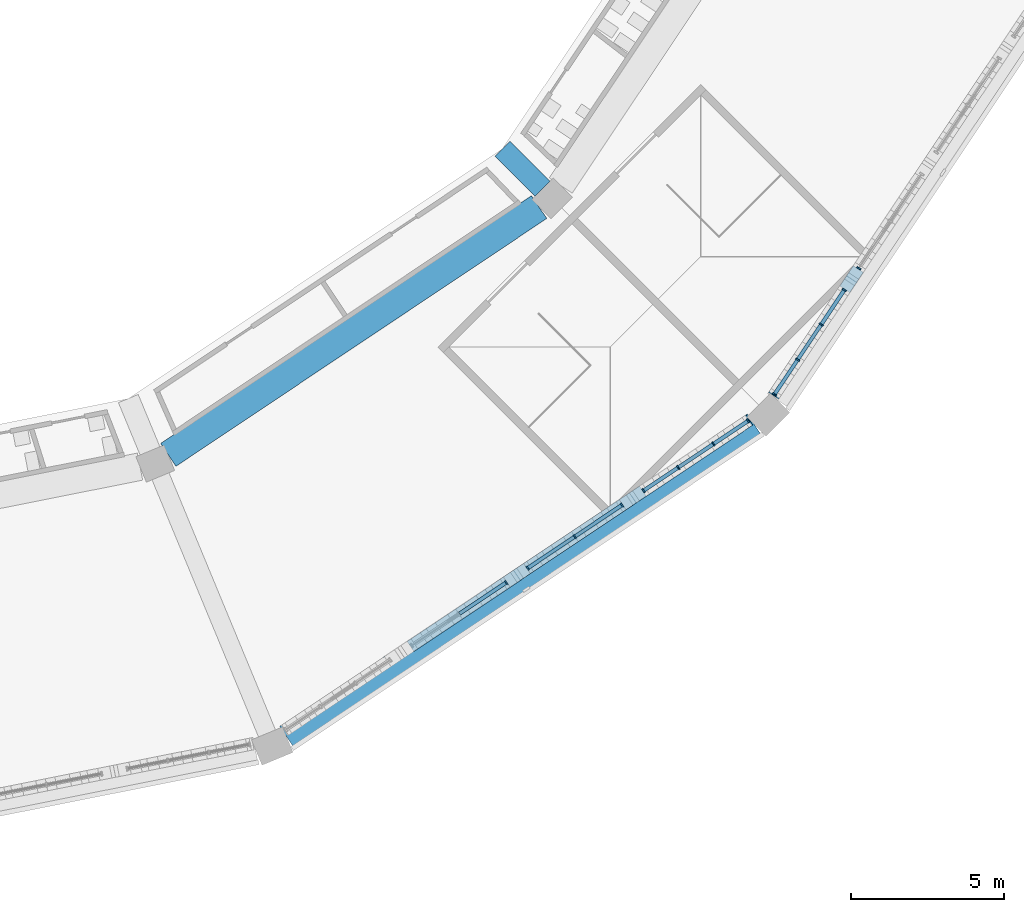
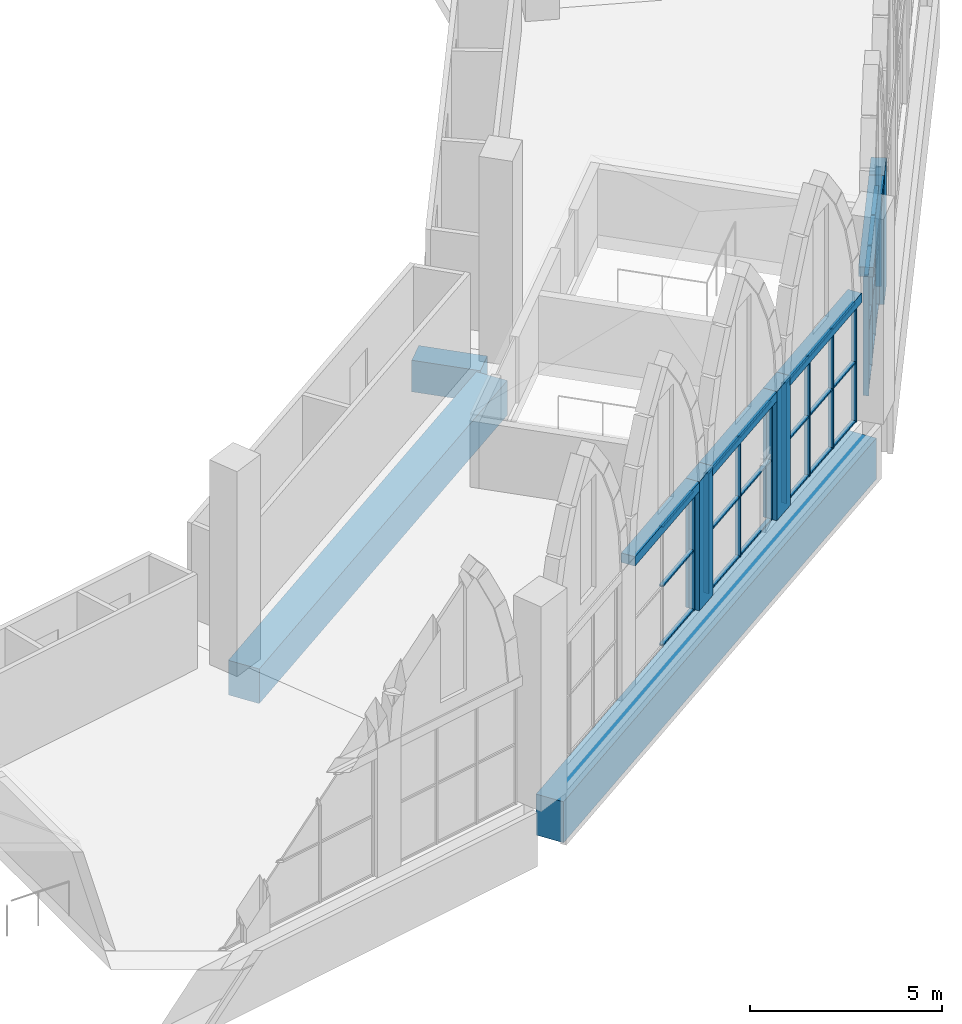
# One storey, part 18 of 130: 43 members, 7 beams, 5 elements without a shape of their own.
"""IFC4 building model written with IfcOpenShell, lengths in metres."""

from ifc_helpers import new_model, si_unit, direction, frame, origin, origin_2d, place, context, subcontext, project, spatial, rectangle, extrude, material, material_profile, profile_set, type_object, element, aggregate, save


model = new_model("IFC4")

# Units and contexts
model_context = context("Model", 3, precision=1e-05, world=origin(), true_north=direction((0.0, 1.0)))
body_context = subcontext(model_context, "Body", "Model", "MODEL_VIEW")
ifc_project = project(units=[si_unit("LENGTHUNIT", "METRE"), si_unit("AREAUNIT", "SQUARE_METRE"), si_unit("VOLUMEUNIT", "CUBIC_METRE"), si_unit("PLANEANGLEUNIT", "RADIAN"), si_unit("MASSUNIT", "GRAM", prefix="KILO")], contexts=[model_context])

# Site, building, storey
site_placement = place(None, origin())
site = spatial("IfcSite", under=ifc_project, at=site_placement, CompositionType="ELEMENT")
building_placement = place(site_placement, origin())
building = spatial("IfcBuilding", under=site, at=building_placement, Name="Ogive Plaza Stadium", CompositionType="ELEMENT")
storey_placement = place(building_placement, frame((0.0, 0.0, 22.5)))
storey = spatial("IfcBuildingStorey", under=building, at=storey_placement, Name="L05", CompositionType="ELEMENT", Elevation=22.5)

# Curtain wall, member
ifc_material_1 = material(Name="Bronze-anodised aluminium with laminated glass", Category="aluminium")
curtain_wall_type = type_object("IfcCurtainWallType", Name="Lancet curtain wall", PredefinedType="NOTDEFINED", material=ifc_material_1)
curtain_wall_1_placement = place(storey_placement, origin())
curtain_wall_1 = element("IfcCurtainWall", 1, at=curtain_wall_1_placement, inside=storey, type_object=curtain_wall_type, Name="CURTAIN WALL B09 L05", PredefinedType="NOTDEFINED")
ifc_material_2 = material(Name="Bronze-anodised aluminium", Category="aluminium")
ifc_material_profile_1 = material_profile(ifc_material_2, rectangle(XDim=0.14990234375, YDim=0.050048828125, at=origin_2d()), Name="AL 150x50")
ifc_profile_set_1 = profile_set([ifc_material_profile_1], Name="Bronze-anodised aluminium")
member_type_1 = type_object("IfcMemberType", Name="Curtain wall mullion 50x150", PredefinedType="MULLION", material=ifc_profile_set_1)
member_1_placement = place(storey_placement, frame((72.312744140625, -83.0693359375, 0.0), z_axis=(0.0, 0.0, 1.0), x_axis=(0.831469612235, -0.555570233121, 0.0)))
member_1 = element("IfcMember", 2, at=member_1_placement, type_object=member_type_1, Name="CW-B09-L05.3 mullion 3", PredefinedType="MULLION", context=body_context, shape_type="SweptSolid", body=[
    extrude(rectangle(XDim=0.14990234375, YDim=0.050048828125, at=origin_2d()), origin(), (0.0, 0.0, 1.0), 3.800048828125),
])
aggregate(curtain_wall_1, [member_1])

# Curtain wall, members
curtain_wall_2_placement = place(storey_placement, origin())
curtain_wall_2 = element("IfcCurtainWall", 3, at=curtain_wall_2_placement, inside=storey, type_object=curtain_wall_type, Name="CURTAIN WALL B09 L05", PredefinedType="NOTDEFINED")
member_2_placement = place(storey_placement, frame((71.840576171875, -83.776123046875, 0.0), z_axis=(0.0, 0.0, 1.0), x_axis=(0.831469612312, -0.555570233005, 0.0)))
member_2 = element("IfcMember", 4, at=member_2_placement, type_object=member_type_1, Name="CW-B09-L05.4 mullion 1", PredefinedType="MULLION", context=body_context, shape_type="SweptSolid", body=[
    extrude(rectangle(XDim=0.14990234375, YDim=0.050048828125, at=origin_2d()), origin(), (0.0, 0.0, 1.0), 3.800048828125),
])
member_3_placement = place(storey_placement, frame((71.08447265625, -84.907470703125, 0.0), z_axis=(0.0, 0.0, 1.0), x_axis=(0.831469612312, -0.555570233005, 0.0)))
member_3 = element("IfcMember", 5, at=member_3_placement, type_object=member_type_1, Name="CW-B09-L05.4 mullion 2", PredefinedType="MULLION", context=body_context, shape_type="SweptSolid", body=[
    extrude(rectangle(XDim=0.14990234375, YDim=0.050048828125, at=origin_2d()), origin(), (0.0, 0.0, 1.0), 3.800048828125),
])
member_4_placement = place(storey_placement, frame((70.314697265625, -86.0595703125, 0.0), z_axis=(0.0, 0.0, 1.0), x_axis=(0.831469612312, -0.555570233005, 0.0)))
member_4 = element("IfcMember", 6, at=member_4_placement, type_object=member_type_1, Name="CW-B09-L05.4 mullion 3", PredefinedType="MULLION", context=body_context, shape_type="SweptSolid", body=[
    extrude(rectangle(XDim=0.14990234375, YDim=0.050048828125, at=origin_2d()), origin(), (0.0, 0.0, 1.0), 3.800048828125),
])
member_5_placement = place(storey_placement, frame((69.55859375, -87.19091796875, 0.0), z_axis=(0.0, 0.0, 1.0), x_axis=(0.831469612312, -0.555570233005, 0.0)))
member_5 = element("IfcMember", 7, at=member_5_placement, type_object=member_type_1, Name="CW-B09-L05.4 mullion 4", PredefinedType="MULLION", context=body_context, shape_type="SweptSolid", body=[
    extrude(rectangle(XDim=0.14990234375, YDim=0.050048828125, at=origin_2d()), origin(), (0.0, 0.0, 1.0), 3.800048828125),
])

curtain_wall_3_placement = place(storey_placement, origin())
curtain_wall_3 = element("IfcCurtainWall", 8, at=curtain_wall_3_placement, inside=storey, type_object=curtain_wall_type, Name="CURTAIN WALL B10 L05", PredefinedType="NOTDEFINED")
member_6_placement = place(storey_placement, frame((68.69091796875, -88.05859375, 0.0), z_axis=(0.0, 0.0, 1.0), x_axis=(0.555570233005, -0.831469612312, 0.0)))
member_6 = element("IfcMember", 9, at=member_6_placement, type_object=member_type_1, Name="CW-B10-L05.1 mullion 1", PredefinedType="MULLION", context=body_context, shape_type="SweptSolid", body=[
    extrude(rectangle(XDim=0.14990234375, YDim=0.050048828125, at=origin_2d()), origin(), (0.0, 0.0, 1.0), 3.800048828125),
])
member_7_placement = place(storey_placement, frame((67.5595703125, -88.814697265625, 0.0), z_axis=(0.0, 0.0, 1.0), x_axis=(0.555570233005, -0.831469612312, 0.0)))
member_7 = element("IfcMember", 10, at=member_7_placement, type_object=member_type_1, Name="CW-B10-L05.1 mullion 2", PredefinedType="MULLION", context=body_context, shape_type="SweptSolid", body=[
    extrude(rectangle(XDim=0.14990234375, YDim=0.050048828125, at=origin_2d()), origin(), (0.0, 0.0, 1.0), 3.800048828125),
])
member_8_placement = place(storey_placement, frame((66.407470703125, -89.58447265625, 0.0), z_axis=(0.0, 0.0, 1.0), x_axis=(0.555570233005, -0.831469612312, 0.0)))
member_8 = element("IfcMember", 11, at=member_8_placement, type_object=member_type_1, Name="CW-B10-L05.1 mullion 3", PredefinedType="MULLION", context=body_context, shape_type="SweptSolid", body=[
    extrude(rectangle(XDim=0.14990234375, YDim=0.050048828125, at=origin_2d()), origin(), (0.0, 0.0, 1.0), 3.800048828125),
])
member_9_placement = place(storey_placement, frame((65.276123046875, -90.340576171875, 0.0), z_axis=(0.0, 0.0, 1.0), x_axis=(0.555570233005, -0.831469612312, 0.0)))
member_9 = element("IfcMember", 12, at=member_9_placement, type_object=member_type_1, Name="CW-B10-L05.1 mullion 4", PredefinedType="MULLION", context=body_context, shape_type="SweptSolid", body=[
    extrude(rectangle(XDim=0.14990234375, YDim=0.050048828125, at=origin_2d()), origin(), (0.0, 0.0, 1.0), 3.800048828125),
])

curtain_wall_4_placement = place(storey_placement, origin())
curtain_wall_4 = element("IfcCurtainWall", 13, at=curtain_wall_4_placement, inside=storey, type_object=curtain_wall_type, Name="CURTAIN WALL B10 L05", PredefinedType="NOTDEFINED")
member_10_placement = place(storey_placement, frame((64.5693359375, -90.812744140625, 0.0), z_axis=(0.0, 0.0, 1.0), x_axis=(0.555570233121, -0.831469612235, 0.0)))
member_10 = element("IfcMember", 14, at=member_10_placement, type_object=member_type_1, Name="CW-B10-L05.2 mullion 1", PredefinedType="MULLION", context=body_context, shape_type="SweptSolid", body=[
    extrude(rectangle(XDim=0.14990234375, YDim=0.050048828125, at=origin_2d()), origin(), (0.0, 0.0, 1.0), 3.800048828125),
])
member_11_placement = place(storey_placement, frame((63.028076171875, -91.842529296875, 0.0), z_axis=(0.0, 0.0, 1.0), x_axis=(0.555570233121, -0.831469612235, 0.0)))
member_11 = element("IfcMember", 15, at=member_11_placement, type_object=member_type_1, Name="CW-B10-L05.2 mullion 2", PredefinedType="MULLION", context=body_context, shape_type="SweptSolid", body=[
    extrude(rectangle(XDim=0.14990234375, YDim=0.050048828125, at=origin_2d()), origin(), (0.0, 0.0, 1.0), 3.800048828125),
])
member_12_placement = place(storey_placement, frame((61.487060546875, -92.872314453125, 0.0), z_axis=(0.0, 0.0, 1.0), x_axis=(0.555570233121, -0.831469612235, 0.0)))
member_12 = element("IfcMember", 16, at=member_12_placement, type_object=member_type_1, Name="CW-B10-L05.2 mullion 3", PredefinedType="MULLION", context=body_context, shape_type="SweptSolid", body=[
    extrude(rectangle(XDim=0.14990234375, YDim=0.050048828125, at=origin_2d()), origin(), (0.0, 0.0, 1.0), 3.800048828125),
])

# Curtain wall, member
curtain_wall_5_placement = place(storey_placement, origin())
curtain_wall_5 = element("IfcCurtainWall", 17, at=curtain_wall_5_placement, inside=storey, type_object=curtain_wall_type, Name="CURTAIN WALL B10 L05", PredefinedType="NOTDEFINED")
member_13_placement = place(storey_placement, frame((60.7802734375, -93.344482421875, 0.0), z_axis=(0.0, 0.0, 1.0), x_axis=(0.555570233237, -0.831469612157, 0.0)))
member_13 = element("IfcMember", 18, at=member_13_placement, type_object=member_type_1, Name="CW-B10-L05.3 mullion 1", PredefinedType="MULLION", context=body_context, shape_type="SweptSolid", body=[
    extrude(rectangle(XDim=0.14990234375, YDim=0.050048828125, at=origin_2d()), origin(), (0.0, 0.0, 1.0), 3.800048828125),
])

# Member
ifc_material_3 = material(Name="Bronze-anodised aluminium", Category="aluminium")
ifc_material_profile_2 = material_profile(ifc_material_3, rectangle(XDim=0.1201171875, YDim=0.050048828125, at=origin_2d()), Name="AL 120x50")
ifc_profile_set_2 = profile_set([ifc_material_profile_2], Name="Bronze-anodised aluminium")
member_type_2 = type_object("IfcMemberType", Name="Curtain wall transom 50x120", PredefinedType="USERDEFINED", material=ifc_profile_set_2)
member_14_placement = place(storey_placement, frame((71.82666015625, -83.796875, 0.02490234375), z_axis=(-0.555602496438, -0.83144805367, 0.0), x_axis=(0.83144805367, -0.555602496438, 0.0)))
member_14 = element("IfcMember", 19, at=member_14_placement, type_object=member_type_2, Name="CW-B09-L05.4 transom 1.1", ObjectType="TRANSOM", PredefinedType="USERDEFINED", context=body_context, shape_type="SweptSolid", body=[
    extrude(rectangle(XDim=0.1201171875, YDim=0.050048828125, at=origin_2d()), origin(), (0.0, 0.0, 1.0), 1.310791015625),
])

member_15_placement = place(storey_placement, frame((71.82666015625, -83.796875, 1.89990234375), z_axis=(-0.555602496438, -0.83144805367, 0.0), x_axis=(0.83144805367, -0.555602496438, 0.0)))
member_15 = element("IfcMember", 20, at=member_15_placement, type_object=member_type_2, Name="CW-B09-L05.4 transom 1.2", ObjectType="TRANSOM", PredefinedType="USERDEFINED", context=body_context, shape_type="SweptSolid", body=[
    extrude(rectangle(XDim=0.1201171875, YDim=0.050048828125, at=origin_2d()), origin(), (0.0, 0.0, 1.0), 1.310791015625),
])

member_16_placement = place(storey_placement, frame((71.82666015625, -83.796875, 3.77490234375), z_axis=(-0.555602496438, -0.83144805367, 0.0), x_axis=(0.83144805367, -0.555602496438, 0.0)))
member_16 = element("IfcMember", 21, at=member_16_placement, type_object=member_type_2, Name="CW-B09-L05.4 transom 1.3", ObjectType="TRANSOM", PredefinedType="USERDEFINED", context=body_context, shape_type="SweptSolid", body=[
    extrude(rectangle(XDim=0.1201171875, YDim=0.050048828125, at=origin_2d()), origin(), (0.0, 0.0, 1.0), 1.310791015625),
])

member_17_placement = place(storey_placement, frame((71.070556640625, -84.92822265625, 0.02490234375), z_axis=(-0.555501406481, -0.831515596605, 0.0), x_axis=(0.831515596605, -0.555501406481, 0.0)))
member_17 = element("IfcMember", 22, at=member_17_placement, type_object=member_type_2, Name="CW-B09-L05.4 transom 2.1", ObjectType="TRANSOM", PredefinedType="USERDEFINED", context=body_context, shape_type="SweptSolid", body=[
    extrude(rectangle(XDim=0.1201171875, YDim=0.050048828125, at=origin_2d()), origin(), (0.0, 0.0, 1.0), 1.335693359375),
])

member_18_placement = place(storey_placement, frame((71.070556640625, -84.92822265625, 1.89990234375), z_axis=(-0.555501406481, -0.831515596605, 0.0), x_axis=(0.831515596605, -0.555501406481, 0.0)))
member_18 = element("IfcMember", 23, at=member_18_placement, type_object=member_type_2, Name="CW-B09-L05.4 transom 2.2", ObjectType="TRANSOM", PredefinedType="USERDEFINED", context=body_context, shape_type="SweptSolid", body=[
    extrude(rectangle(XDim=0.1201171875, YDim=0.050048828125, at=origin_2d()), origin(), (0.0, 0.0, 1.0), 1.335693359375),
])

member_19_placement = place(storey_placement, frame((71.070556640625, -84.92822265625, 3.77490234375), z_axis=(-0.555501406481, -0.831515596605, 0.0), x_axis=(0.831515596605, -0.555501406481, 0.0)))
member_19 = element("IfcMember", 24, at=member_19_placement, type_object=member_type_2, Name="CW-B09-L05.4 transom 2.3", ObjectType="TRANSOM", PredefinedType="USERDEFINED", context=body_context, shape_type="SweptSolid", body=[
    extrude(rectangle(XDim=0.1201171875, YDim=0.050048828125, at=origin_2d()), origin(), (0.0, 0.0, 1.0), 1.335693359375),
])

member_20_placement = place(storey_placement, frame((70.30078125, -86.080322265625, 0.02490234375), z_axis=(-0.555602496438, -0.83144805367, 0.0), x_axis=(0.83144805367, -0.555602496438, 0.0)))
member_20 = element("IfcMember", 25, at=member_20_placement, type_object=member_type_2, Name="CW-B09-L05.4 transom 3.1", ObjectType="TRANSOM", PredefinedType="USERDEFINED", context=body_context, shape_type="SweptSolid", body=[
    extrude(rectangle(XDim=0.1201171875, YDim=0.050048828125, at=origin_2d()), origin(), (0.0, 0.0, 1.0), 1.310791015625),
])

member_21_placement = place(storey_placement, frame((70.30078125, -86.080322265625, 1.89990234375), z_axis=(-0.555602496438, -0.83144805367, 0.0), x_axis=(0.83144805367, -0.555602496438, 0.0)))
member_21 = element("IfcMember", 26, at=member_21_placement, type_object=member_type_2, Name="CW-B09-L05.4 transom 3.2", ObjectType="TRANSOM", PredefinedType="USERDEFINED", context=body_context, shape_type="SweptSolid", body=[
    extrude(rectangle(XDim=0.1201171875, YDim=0.050048828125, at=origin_2d()), origin(), (0.0, 0.0, 1.0), 1.310791015625),
])

member_22_placement = place(storey_placement, frame((70.30078125, -86.080322265625, 3.77490234375), z_axis=(-0.555602496438, -0.83144805367, 0.0), x_axis=(0.83144805367, -0.555602496438, 0.0)))
member_22 = element("IfcMember", 27, at=member_22_placement, type_object=member_type_2, Name="CW-B09-L05.4 transom 3.3", ObjectType="TRANSOM", PredefinedType="USERDEFINED", context=body_context, shape_type="SweptSolid", body=[
    extrude(rectangle(XDim=0.1201171875, YDim=0.050048828125, at=origin_2d()), origin(), (0.0, 0.0, 1.0), 1.310791015625),
])

aggregate(curtain_wall_2, [member_2, member_3, member_4, member_5, member_14, member_15, member_16, member_17, member_18, member_19, member_20, member_21, member_22])

member_23_placement = place(storey_placement, frame((68.670166015625, -88.072509765625, 0.02490234375), z_axis=(-0.83144805367, -0.555602496438, 0.0), x_axis=(0.555602496438, -0.83144805367, 0.0)))
member_23 = element("IfcMember", 28, at=member_23_placement, type_object=member_type_2, Name="CW-B10-L05.1 transom 1.1", ObjectType="TRANSOM", PredefinedType="USERDEFINED", context=body_context, shape_type="SweptSolid", body=[
    extrude(rectangle(XDim=0.1201171875, YDim=0.050048828125, at=origin_2d()), origin(), (0.0, 0.0, 1.0), 1.310791015625),
])

member_24_placement = place(storey_placement, frame((68.670166015625, -88.072509765625, 1.89990234375), z_axis=(-0.83144805367, -0.555602496438, 0.0), x_axis=(0.555602496438, -0.83144805367, 0.0)))
member_24 = element("IfcMember", 29, at=member_24_placement, type_object=member_type_2, Name="CW-B10-L05.1 transom 1.2", ObjectType="TRANSOM", PredefinedType="USERDEFINED", context=body_context, shape_type="SweptSolid", body=[
    extrude(rectangle(XDim=0.1201171875, YDim=0.050048828125, at=origin_2d()), origin(), (0.0, 0.0, 1.0), 1.310791015625),
])

member_25_placement = place(storey_placement, frame((68.670166015625, -88.072509765625, 3.77490234375), z_axis=(-0.83144805367, -0.555602496438, 0.0), x_axis=(0.555602496438, -0.83144805367, 0.0)))
member_25 = element("IfcMember", 30, at=member_25_placement, type_object=member_type_2, Name="CW-B10-L05.1 transom 1.3", ObjectType="TRANSOM", PredefinedType="USERDEFINED", context=body_context, shape_type="SweptSolid", body=[
    extrude(rectangle(XDim=0.1201171875, YDim=0.050048828125, at=origin_2d()), origin(), (0.0, 0.0, 1.0), 1.310791015625),
])

member_26_placement = place(storey_placement, frame((67.538818359375, -88.82861328125, 0.02490234375), z_axis=(-0.831515596605, -0.555501406481, 0.0), x_axis=(0.555501406481, -0.831515596605, 0.0)))
member_26 = element("IfcMember", 31, at=member_26_placement, type_object=member_type_2, Name="CW-B10-L05.1 transom 2.1", ObjectType="TRANSOM", PredefinedType="USERDEFINED", context=body_context, shape_type="SweptSolid", body=[
    extrude(rectangle(XDim=0.1201171875, YDim=0.050048828125, at=origin_2d()), origin(), (0.0, 0.0, 1.0), 1.335693359375),
])

member_27_placement = place(storey_placement, frame((67.538818359375, -88.82861328125, 1.89990234375), z_axis=(-0.831515596605, -0.555501406481, 0.0), x_axis=(0.555501406481, -0.831515596605, 0.0)))
member_27 = element("IfcMember", 32, at=member_27_placement, type_object=member_type_2, Name="CW-B10-L05.1 transom 2.2", ObjectType="TRANSOM", PredefinedType="USERDEFINED", context=body_context, shape_type="SweptSolid", body=[
    extrude(rectangle(XDim=0.1201171875, YDim=0.050048828125, at=origin_2d()), origin(), (0.0, 0.0, 1.0), 1.335693359375),
])

member_28_placement = place(storey_placement, frame((67.538818359375, -88.82861328125, 3.77490234375), z_axis=(-0.831515596605, -0.555501406481, 0.0), x_axis=(0.555501406481, -0.831515596605, 0.0)))
member_28 = element("IfcMember", 33, at=member_28_placement, type_object=member_type_2, Name="CW-B10-L05.1 transom 2.3", ObjectType="TRANSOM", PredefinedType="USERDEFINED", context=body_context, shape_type="SweptSolid", body=[
    extrude(rectangle(XDim=0.1201171875, YDim=0.050048828125, at=origin_2d()), origin(), (0.0, 0.0, 1.0), 1.335693359375),
])

member_29_placement = place(storey_placement, frame((66.38671875, -89.598388671875, 0.02490234375), z_axis=(-0.83144805367, -0.555602496438, 0.0), x_axis=(0.555602496438, -0.83144805367, 0.0)))
member_29 = element("IfcMember", 34, at=member_29_placement, type_object=member_type_2, Name="CW-B10-L05.1 transom 3.1", ObjectType="TRANSOM", PredefinedType="USERDEFINED", context=body_context, shape_type="SweptSolid", body=[
    extrude(rectangle(XDim=0.1201171875, YDim=0.050048828125, at=origin_2d()), origin(), (0.0, 0.0, 1.0), 1.310791015625),
])

member_30_placement = place(storey_placement, frame((66.38671875, -89.598388671875, 1.89990234375), z_axis=(-0.83144805367, -0.555602496438, 0.0), x_axis=(0.555602496438, -0.83144805367, 0.0)))
member_30 = element("IfcMember", 35, at=member_30_placement, type_object=member_type_2, Name="CW-B10-L05.1 transom 3.2", ObjectType="TRANSOM", PredefinedType="USERDEFINED", context=body_context, shape_type="SweptSolid", body=[
    extrude(rectangle(XDim=0.1201171875, YDim=0.050048828125, at=origin_2d()), origin(), (0.0, 0.0, 1.0), 1.310791015625),
])

member_31_placement = place(storey_placement, frame((66.38671875, -89.598388671875, 3.77490234375), z_axis=(-0.83144805367, -0.555602496438, 0.0), x_axis=(0.555602496438, -0.83144805367, 0.0)))
member_31 = element("IfcMember", 36, at=member_31_placement, type_object=member_type_2, Name="CW-B10-L05.1 transom 3.3", ObjectType="TRANSOM", PredefinedType="USERDEFINED", context=body_context, shape_type="SweptSolid", body=[
    extrude(rectangle(XDim=0.1201171875, YDim=0.050048828125, at=origin_2d()), origin(), (0.0, 0.0, 1.0), 1.310791015625),
])

aggregate(curtain_wall_3, [member_6, member_7, member_8, member_9, member_23, member_24, member_25, member_26, member_27, member_28, member_29, member_30, member_31])

member_32_placement = place(storey_placement, frame((64.548583984375, -90.82666015625, 0.02490234375), z_axis=(-0.831466685303, -0.555574613559, 0.0), x_axis=(0.555574613559, -0.831466685303, 0.0)))
member_32 = element("IfcMember", 37, at=member_32_placement, type_object=member_type_2, Name="CW-B10-L05.2 transom 1.1", ObjectType="TRANSOM", PredefinedType="USERDEFINED", context=body_context, shape_type="SweptSolid", body=[
    extrude(rectangle(XDim=0.1201171875, YDim=0.050048828125, at=origin_2d()), origin(), (0.0, 0.0, 1.0), 1.803466796875),
])

member_33_placement = place(storey_placement, frame((64.548583984375, -90.82666015625, 1.89990234375), z_axis=(-0.831466685303, -0.555574613559, 0.0), x_axis=(0.555574613559, -0.831466685303, 0.0)))
member_33 = element("IfcMember", 38, at=member_33_placement, type_object=member_type_2, Name="CW-B10-L05.2 transom 1.2", ObjectType="TRANSOM", PredefinedType="USERDEFINED", context=body_context, shape_type="SweptSolid", body=[
    extrude(rectangle(XDim=0.1201171875, YDim=0.050048828125, at=origin_2d()), origin(), (0.0, 0.0, 1.0), 1.803466796875),
])

member_34_placement = place(storey_placement, frame((64.548583984375, -90.82666015625, 3.77490234375), z_axis=(-0.831466685303, -0.555574613559, 0.0), x_axis=(0.555574613559, -0.831466685303, 0.0)))
member_34 = element("IfcMember", 39, at=member_34_placement, type_object=member_type_2, Name="CW-B10-L05.2 transom 1.3", ObjectType="TRANSOM", PredefinedType="USERDEFINED", context=body_context, shape_type="SweptSolid", body=[
    extrude(rectangle(XDim=0.1201171875, YDim=0.050048828125, at=origin_2d()), origin(), (0.0, 0.0, 1.0), 1.803466796875),
])

member_35_placement = place(storey_placement, frame((63.00732421875, -91.8564453125, 0.02490234375), z_axis=(-0.831466685303, -0.555574613559, 0.0), x_axis=(0.555574613559, -0.831466685303, 0.0)))
member_35 = element("IfcMember", 40, at=member_35_placement, type_object=member_type_2, Name="CW-B10-L05.2 transom 2.1", ObjectType="TRANSOM", PredefinedType="USERDEFINED", context=body_context, shape_type="SweptSolid", body=[
    extrude(rectangle(XDim=0.1201171875, YDim=0.050048828125, at=origin_2d()), origin(), (0.0, 0.0, 1.0), 1.803466796875),
])

member_36_placement = place(storey_placement, frame((63.00732421875, -91.8564453125, 1.89990234375), z_axis=(-0.831466685303, -0.555574613559, 0.0), x_axis=(0.555574613559, -0.831466685303, 0.0)))
member_36 = element("IfcMember", 41, at=member_36_placement, type_object=member_type_2, Name="CW-B10-L05.2 transom 2.2", ObjectType="TRANSOM", PredefinedType="USERDEFINED", context=body_context, shape_type="SweptSolid", body=[
    extrude(rectangle(XDim=0.1201171875, YDim=0.050048828125, at=origin_2d()), origin(), (0.0, 0.0, 1.0), 1.803466796875),
])

member_37_placement = place(storey_placement, frame((63.00732421875, -91.8564453125, 3.77490234375), z_axis=(-0.831466685303, -0.555574613559, 0.0), x_axis=(0.555574613559, -0.831466685303, 0.0)))
member_37 = element("IfcMember", 42, at=member_37_placement, type_object=member_type_2, Name="CW-B10-L05.2 transom 2.3", ObjectType="TRANSOM", PredefinedType="USERDEFINED", context=body_context, shape_type="SweptSolid", body=[
    extrude(rectangle(XDim=0.1201171875, YDim=0.050048828125, at=origin_2d()), origin(), (0.0, 0.0, 1.0), 1.803466796875),
])

aggregate(curtain_wall_4, [member_10, member_11, member_12, member_32, member_33, member_34, member_35, member_36, member_37])

member_38_placement = place(storey_placement, frame((60.759521484375, -93.3583984375, 0.02490234375), z_axis=(-0.831466685303, -0.555574613559, 0.0), x_axis=(0.555574613559, -0.831466685303, 0.0)))
member_38 = element("IfcMember", 43, at=member_38_placement, type_object=member_type_2, Name="CW-B10-L05.3 transom 1.1", ObjectType="TRANSOM", PredefinedType="USERDEFINED", context=body_context, shape_type="SweptSolid", body=[
    extrude(rectangle(XDim=0.1201171875, YDim=0.050048828125, at=origin_2d()), origin(), (0.0, 0.0, 1.0), 1.803466796875),
])

member_39_placement = place(storey_placement, frame((60.759521484375, -93.3583984375, 1.89990234375), z_axis=(-0.831466685303, -0.555574613559, 0.0), x_axis=(0.555574613559, -0.831466685303, 0.0)))
member_39 = element("IfcMember", 44, at=member_39_placement, type_object=member_type_2, Name="CW-B10-L05.3 transom 1.2", ObjectType="TRANSOM", PredefinedType="USERDEFINED", context=body_context, shape_type="SweptSolid", body=[
    extrude(rectangle(XDim=0.1201171875, YDim=0.050048828125, at=origin_2d()), origin(), (0.0, 0.0, 1.0), 1.803466796875),
])

member_40_placement = place(storey_placement, frame((60.759521484375, -93.3583984375, 3.77490234375), z_axis=(-0.831466685303, -0.555574613559, 0.0), x_axis=(0.555574613559, -0.831466685303, 0.0)))
member_40 = element("IfcMember", 45, at=member_40_placement, type_object=member_type_2, Name="CW-B10-L05.3 transom 1.3", ObjectType="TRANSOM", PredefinedType="USERDEFINED", context=body_context, shape_type="SweptSolid", body=[
    extrude(rectangle(XDim=0.1201171875, YDim=0.050048828125, at=origin_2d()), origin(), (0.0, 0.0, 1.0), 1.803466796875),
])

aggregate(curtain_wall_5, [member_13, member_38, member_39, member_40])

# Members
ifc_material_4 = material(Name="Concrete C45/55 precast", Category="concrete")
ifc_material_profile_3 = material_profile(ifc_material_4, rectangle(XDim=0.39990234375, YDim=0.800048828125, at=origin_2d()), Name="RC 400x800")
ifc_profile_set_3 = profile_set([ifc_material_profile_3], Name="Concrete C45/55 precast")
member_type_3 = type_object("IfcMemberType", Name="Precast colonette 800x400", PredefinedType="POST", material=ifc_profile_set_3)
for number, where, z_axis, x_axis, name in (
    (46, (72.07666015625, -83.422607421875, 0.0), (0.0, 0.0, 1.0), (0.831469612303, -0.55557023302, 0.0), "COLONETTE B09 3"),
    (47, (64.922607421875, -90.57666015625, 0.0), (0.0, 0.0, 1.0), (0.55557023302, -0.831469612303, 0.0), "COLONETTE B10 1"),
    (48, (61.133544921875, -93.1083984375, 0.0), (0.0, 0.0, 1.0), (0.55557023302, -0.831469612303, 0.0), "COLONETTE B10 2"),
):
    element("IfcMember", number, at=place(storey_placement, frame(where, z_axis=z_axis, x_axis=x_axis)), inside=storey, type_object=member_type_3, Name=name, PredefinedType="POST", context=body_context, shape_type="SweptSolid", body=[
        extrude(rectangle(XDim=0.39990234375, YDim=0.800048828125, at=origin_2d()), origin(), (0.0, 0.0, 1.0), 4.10009765625),
    ])

# Beams
ifc_material_5 = material(Name="Concrete C45/55 precast", Category="concrete")
ifc_material_profile_4 = material_profile(ifc_material_5, rectangle(XDim=0.39990234375, YDim=0.300048828125, at=origin_2d()), Name="RC 400x300")
ifc_profile_set_4 = profile_set([ifc_material_profile_4], Name="Concrete C45/55 precast")
beam_type_1 = type_object("IfcBeamType", Name="Precast tympanum lintel 400x300", PredefinedType="BEAM", material=ifc_profile_set_4)
for number, where, z_axis, x_axis, name in (
    (49, (71.87109375, -83.73046875, 3.949951171875), (-0.555594983424, -0.831453074078, 0.0), (0.831453074078, -0.555594983424, 0.0), "TYMPANUM LINTEL B09 4"),
    (50, (68.73681640625, -88.028076171875, 3.949951171875), (-0.831453074078, -0.555594983424, 0.0), (0.555594983424, -0.831453074078, 0.0), "TYMPANUM LINTEL B10 1"),
):
    element("IfcBeam", number, at=place(storey_placement, frame(where, z_axis=z_axis, x_axis=x_axis)), inside=storey, type_object=beam_type_1, Name=name, PredefinedType="BEAM", context=body_context, shape_type="SweptSolid", body=[
        extrude(rectangle(XDim=0.39990234375, YDim=0.300048828125, at=origin_2d()), origin(), (0.0, 0.0, 1.0), 4.217041015625),
    ])
beam_1_placement = place(storey_placement, frame((64.614990234375, -90.7822265625, 3.949951171875), z_axis=(-0.831459392206, -0.555585528171, 0.0), x_axis=(0.555585528171, -0.831459392206, 0.0)))
element("IfcBeam", 51, at=beam_1_placement, inside=storey, type_object=beam_type_1, Name="TYMPANUM LINTEL B10 2", PredefinedType="BEAM", context=body_context, shape_type="SweptSolid", body=[
    extrude(rectangle(XDim=0.39990234375, YDim=0.300048828125, at=origin_2d()), origin(), (0.0, 0.0, 1.0), 3.81689453125),
])
beam_2_placement = place(storey_placement, frame((60.825927734375, -93.31396484375, 3.949951171875), z_axis=(-0.831479134531, -0.555555981733, 0.0), x_axis=(0.555555981733, -0.831479134531, 0.0)))
element("IfcBeam", 52, at=beam_2_placement, inside=storey, type_object=beam_type_1, Name="TYMPANUM LINTEL B10 3", PredefinedType="BEAM", context=body_context, shape_type="SweptSolid", body=[
    extrude(rectangle(XDim=0.39990234375, YDim=0.300048828125, at=origin_2d()), origin(), (0.0, 0.0, 1.0), 3.817138671875),
])
ifc_material_6 = material(Name="Concrete C40/50", Category="concrete")
ifc_material_profile_5 = material_profile(ifc_material_6, rectangle(XDim=0.699951171875, YDim=1.0, at=origin_2d()), Name="RC 700x1000")
ifc_profile_set_5 = profile_set([ifc_material_profile_5], Name="Concrete C40/50")
beam_type_2 = type_object("IfcBeamType", Name="RC radial beam 700x1000", PredefinedType="BEAM", material=ifc_profile_set_5)
beam_3_placement = place(storey_placement, frame((60.657958984375, -79.157958984375, -0.909912109375), z_axis=(0.707106781187, -0.707106781187, 0.0), x_axis=(0.707106781187, 0.707106781187, 0.0)))
element("IfcBeam", 53, at=beam_3_placement, inside=storey, type_object=beam_type_2, Name="Raker tail beam UT R10", PredefinedType="BEAM", context=body_context, shape_type="SweptSolid", body=[
    extrude(rectangle(XDim=0.699951171875, YDim=1.0, at=origin_2d()), origin(), (0.0, 0.0, 1.0), 1.849853515625),
])
ifc_material_7 = material(Name="Concrete C40/50", Category="concrete")
ifc_material_profile_6 = material_profile(ifc_material_7, rectangle(XDim=0.89990234375, YDim=1.10009765625, at=origin_2d()), Name="RC 900x1100")
ifc_profile_set_6 = profile_set([ifc_material_profile_6], Name="Concrete C40/50")
beam_type_3 = type_object("IfcBeamType", Name="RC ring beam 900x1100", PredefinedType="BEAM", material=ifc_profile_set_6)
beam_4_placement = place(storey_placement, frame((61.8603515625, -81.0673828125, -0.9599609375), z_axis=(-0.831467933961, -0.555572744827, 0.0), x_axis=(0.555572744827, -0.831467933961, 0.0)))
element("IfcBeam", 54, at=beam_4_placement, inside=storey, type_object=beam_type_3, Name="Ring beam F4 L05 B10", PredefinedType="BEAM", context=body_context, shape_type="SweptSolid", body=[
    extrude(rectangle(XDim=0.89990234375, YDim=1.10009765625, at=origin_2d()), origin(), (0.0, 0.0, 1.0), 14.587646484375),
])
ifc_material_8 = material(Name="Concrete C40/50", Category="concrete")
ifc_material_profile_7 = material_profile(ifc_material_8, rectangle(XDim=0.800048828125, YDim=1.300048828125, at=origin_2d()), Name="RC 800x1300")
ifc_profile_set_7 = profile_set([ifc_material_profile_7], Name="Concrete C40/50")
beam_type_4 = type_object("IfcBeamType", Name="RC spandrel beam 800x1300", PredefinedType="SPANDREL", material=ifc_profile_set_7)
beam_5_placement = place(storey_placement, frame((68.88916015625, -88.1669921875, -1.06005859375), z_axis=(-0.831477897484, -0.555557833169, 0.0), x_axis=(0.555557833169, -0.831477897484, 0.0)))
element("IfcBeam", 55, at=beam_5_placement, inside=storey, type_object=beam_type_4, Name="Ring beam F5 L05 B10", PredefinedType="SPANDREL", context=body_context, shape_type="SweptSolid", body=[
    extrude(rectangle(XDim=0.800048828125, YDim=1.300048828125, at=origin_2d()), origin(), (0.0, 0.0, 1.0), 18.387451171875),
])

save(model, "model.ifc")
